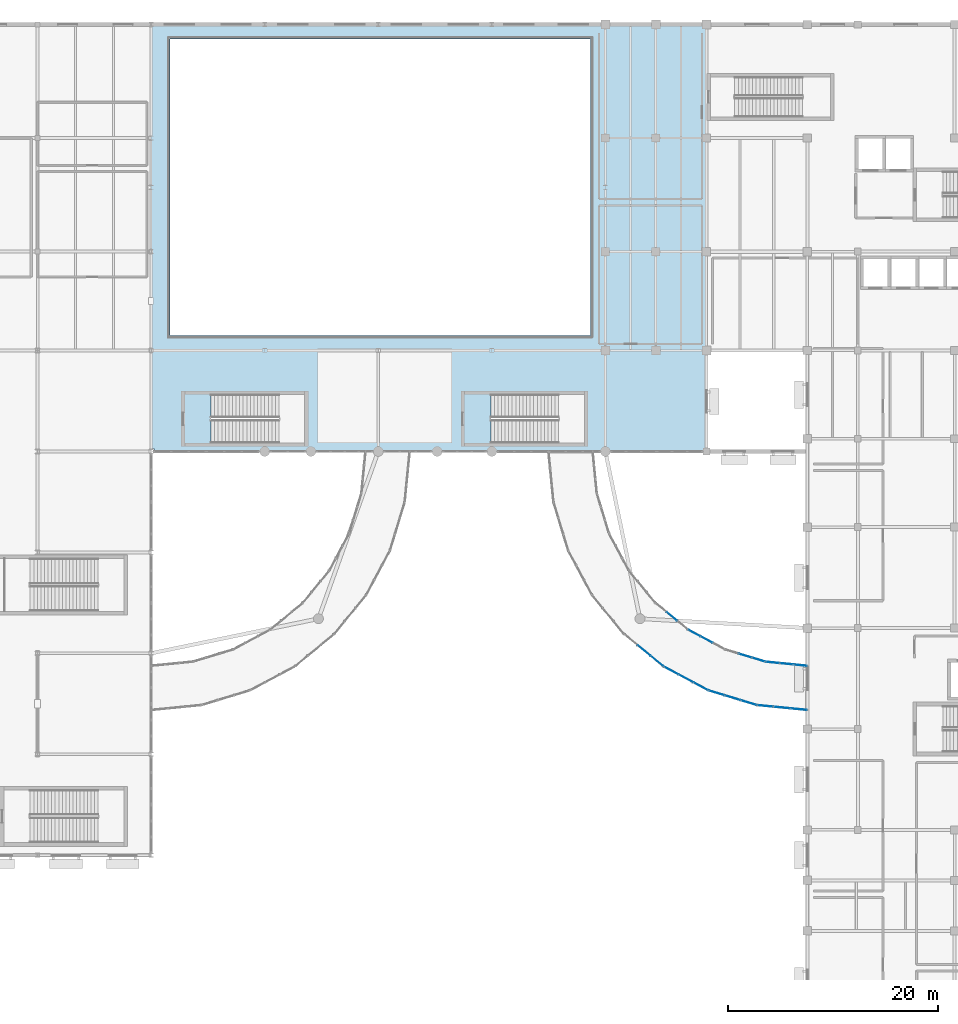
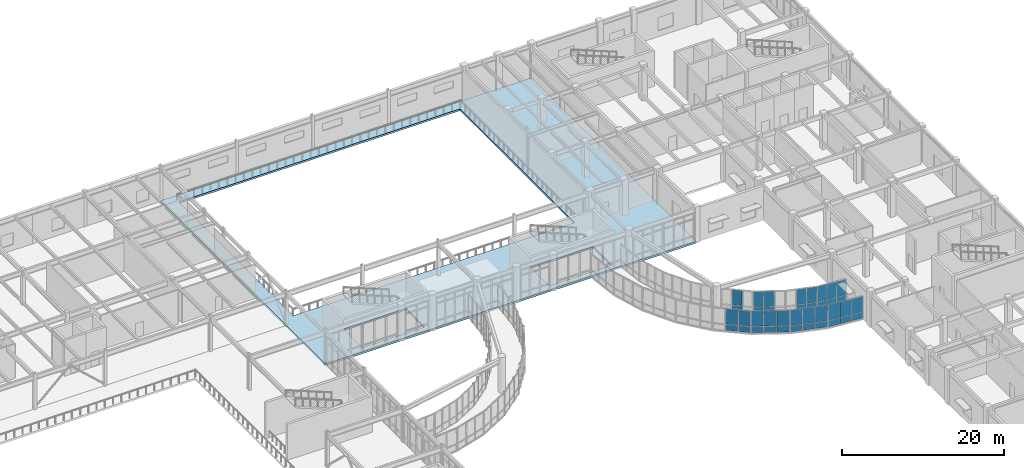
# One storey, part 44 of 72: 38 plates, 1 slab, 8 elements without a shape of their own.
"""IFC4 building model written with IfcOpenShell, lengths in metres."""

from ifc_helpers import new_model, si_unit, direction, frame, origin, origin_2d, place, context, subcontext, project, spatial, polyline, rectangle, outline, extrude, material, layer, layer_set, type_object, element, aggregate, save


model = new_model("IFC4")

# Units and contexts
model_context = context("Model", 3, precision=1e-05, world=origin(), true_north=direction((0.0, 1.0)))
body_context = subcontext(model_context, "Body", "Model", "MODEL_VIEW")
ifc_project = project(units=[si_unit("LENGTHUNIT", "METRE"), si_unit("AREAUNIT", "SQUARE_METRE"), si_unit("VOLUMEUNIT", "CUBIC_METRE"), si_unit("PLANEANGLEUNIT", "RADIAN"), si_unit("MASSUNIT", "GRAM", prefix="KILO")], contexts=[model_context])

# Site, building, storey
site_placement = place(None, origin())
site = spatial("IfcSite", under=ifc_project, at=site_placement, CompositionType="ELEMENT")
building_placement = place(site_placement, origin())
building = spatial("IfcBuilding", under=site, at=building_placement, Name="Veldera Park Congress Hotel", CompositionType="ELEMENT")
storey_placement = place(building_placement, frame((0.0, 0.0, 5.39990234375)))
storey = spatial("IfcBuildingStorey", under=building, at=storey_placement, Name="L01", CompositionType="ELEMENT", Elevation=5.39990234375)

# Curtain wall, plates
ifc_material_1 = material(Name="Low-E Triple Insulating Glass Unit (SHGC 0.22)", Category="glass")
curtain_wall_type = type_object("IfcCurtainWallType", Name="CW-BRG", PredefinedType="NOTDEFINED", material=ifc_material_1)
curtain_wall_1_placement = place(storey_placement, origin())
curtain_wall_1 = element("IfcCurtainWall", 1, at=curtain_wall_1_placement, inside=storey, type_object=curtain_wall_type, Name="L01 Curtain Wall CW3-BRGE-L01-A04", PredefinedType="NOTDEFINED")
ifc_layer_1 = layer(ifc_material_1, 0.028076171875)
ifc_layer_set_1 = layer_set([ifc_layer_1], Name="Low-E Triple Insulating Glass Unit (SHGC 0.22)")
plate_type = type_object("IfcPlateType", Name="CWP-IGU28", PredefinedType="CURTAIN_PANEL", material=ifc_layer_set_1)
plate_1_placement = place(storey_placement, frame((45.26904296875, -1.5244140625, 0.06005859375), z_axis=(0.0, 0.0, 1.0), x_axis=(0.773002968666, -0.634402404183, 0.0)))
plate_1 = element("IfcPlate", 2, at=plate_1_placement, type_object=plate_type, Name="CW-BRG panel 2.1", PredefinedType="CURTAIN_PANEL", context=body_context, shape_type="SweptSolid", body=[
    extrude(rectangle(XDim=1.547607421875, YDim=0.028076171875, at=origin_2d()), origin(), (0.0, 0.0, 1.0), 0.909912109375),
])
plate_2_placement = place(storey_placement, frame((45.26904296875, -1.5244140625, 1.030029296875), z_axis=(0.0, 0.0, 1.0), x_axis=(0.773002968666, -0.634402404183, 0.0)))
plate_2 = element("IfcPlate", 3, at=plate_2_placement, type_object=plate_type, Name="CW-BRG panel 2.2", PredefinedType="CURTAIN_PANEL", context=body_context, shape_type="SweptSolid", body=[
    extrude(rectangle(XDim=1.547607421875, YDim=0.028076171875, at=origin_2d()), origin(), (0.0, 0.0, 1.0), 2.31005859375),
])
plate_3_placement = place(storey_placement, frame((46.5, -2.53466796875, 0.06005859375), z_axis=(0.0, 0.0, 1.0), x_axis=(0.773002968666, -0.634402404183, 0.0)))
plate_3 = element("IfcPlate", 4, at=plate_3_placement, type_object=plate_type, Name="CW-BRG panel 3.1", PredefinedType="CURTAIN_PANEL", context=body_context, shape_type="SweptSolid", body=[
    extrude(rectangle(XDim=1.517578125, YDim=0.028076171875, at=origin_2d()), origin(), (0.0, 0.0, 1.0), 0.909912109375),
])
plate_4_placement = place(storey_placement, frame((46.5, -2.53466796875, 1.030029296875), z_axis=(0.0, 0.0, 1.0), x_axis=(0.773002968666, -0.634402404183, 0.0)))
plate_4 = element("IfcPlate", 5, at=plate_4_placement, type_object=plate_type, Name="CW-BRG panel 3.2", PredefinedType="CURTAIN_PANEL", context=body_context, shape_type="SweptSolid", body=[
    extrude(rectangle(XDim=1.517578125, YDim=0.028076171875, at=origin_2d()), origin(), (0.0, 0.0, 1.0), 2.31005859375),
])
aggregate(curtain_wall_1, [plate_1, plate_2, plate_3, plate_4])

curtain_wall_2_placement = place(storey_placement, origin())
curtain_wall_2 = element("IfcCurtainWall", 6, at=curtain_wall_2_placement, inside=storey, type_object=curtain_wall_type, Name="L01 Curtain Wall CW3-BRGE-L01-A05", PredefinedType="NOTDEFINED")
plate_5_placement = place(storey_placement, frame((47.85498046875, -3.440185546875, 0.06005859375), z_axis=(0.0, 0.0, 1.0), x_axis=(0.881927804203, -0.471384501415, 0.0)))
plate_5 = element("IfcPlate", 7, at=plate_5_placement, type_object=plate_type, Name="CW-BRG panel 1.1", PredefinedType="CURTAIN_PANEL", context=body_context, shape_type="SweptSolid", body=[
    extrude(rectangle(XDim=1.517578125, YDim=0.028076171875, at=origin_2d()), origin(), (0.0, 0.0, 1.0), 0.909912109375),
])
plate_6_placement = place(storey_placement, frame((47.85498046875, -3.440185546875, 1.030029296875), z_axis=(0.0, 0.0, 1.0), x_axis=(0.881927804203, -0.471384501415, 0.0)))
plate_6 = element("IfcPlate", 8, at=plate_6_placement, type_object=plate_type, Name="CW-BRG panel 1.2", PredefinedType="CURTAIN_PANEL", context=body_context, shape_type="SweptSolid", body=[
    extrude(rectangle(XDim=1.517578125, YDim=0.028076171875, at=origin_2d()), origin(), (0.0, 0.0, 1.0), 2.31005859375),
])
plate_7_placement = place(storey_placement, frame((49.259521484375, -4.19091796875, 0.06005859375), z_axis=(0.0, 0.0, 1.0), x_axis=(0.881927804203, -0.471384501415, 0.0)))
plate_7 = element("IfcPlate", 9, at=plate_7_placement, type_object=plate_type, Name="CW-BRG panel 2.1", PredefinedType="CURTAIN_PANEL", context=body_context, shape_type="SweptSolid", body=[
    extrude(rectangle(XDim=1.54736328125, YDim=0.028076171875, at=origin_2d()), origin(), (0.0, 0.0, 1.0), 0.909912109375),
])
plate_8_placement = place(storey_placement, frame((49.259521484375, -4.19091796875, 1.030029296875), z_axis=(0.0, 0.0, 1.0), x_axis=(0.881927804203, -0.471384501415, 0.0)))
plate_8 = element("IfcPlate", 10, at=plate_8_placement, type_object=plate_type, Name="CW-BRG panel 2.2", PredefinedType="CURTAIN_PANEL", context=body_context, shape_type="SweptSolid", body=[
    extrude(rectangle(XDim=1.54736328125, YDim=0.028076171875, at=origin_2d()), origin(), (0.0, 0.0, 1.0), 2.31005859375),
])
plate_9_placement = place(storey_placement, frame((50.663818359375, -4.94140625, 0.06005859375), z_axis=(0.0, 0.0, 1.0), x_axis=(0.881927804203, -0.471384501415, 0.0)))
plate_9 = element("IfcPlate", 11, at=plate_9_placement, type_object=plate_type, Name="CW-BRG panel 3.1", PredefinedType="CURTAIN_PANEL", context=body_context, shape_type="SweptSolid", body=[
    extrude(rectangle(XDim=1.517578125, YDim=0.028076171875, at=origin_2d()), origin(), (0.0, 0.0, 1.0), 0.909912109375),
])
plate_10_placement = place(storey_placement, frame((50.663818359375, -4.94140625, 1.030029296875), z_axis=(0.0, 0.0, 1.0), x_axis=(0.881927804203, -0.471384501415, 0.0)))
plate_10 = element("IfcPlate", 12, at=plate_10_placement, type_object=plate_type, Name="CW-BRG panel 3.2", PredefinedType="CURTAIN_PANEL", context=body_context, shape_type="SweptSolid", body=[
    extrude(rectangle(XDim=1.517578125, YDim=0.028076171875, at=origin_2d()), origin(), (0.0, 0.0, 1.0), 2.31005859375),
])
aggregate(curtain_wall_2, [plate_5, plate_6, plate_7, plate_8, plate_9, plate_10])

curtain_wall_3_placement = place(storey_placement, origin())
curtain_wall_3 = element("IfcCurtainWall", 13, at=curtain_wall_3_placement, inside=storey, type_object=curtain_wall_type, Name="L01 Curtain Wall CW3-BRGE-L01-A06", PredefinedType="NOTDEFINED")
plate_11_placement = place(storey_placement, frame((52.16943359375, -5.565185546875, 0.06005859375), z_axis=(0.0, 0.0, 1.0), x_axis=(0.956939429957, -0.290287663177, 0.0)))
plate_11 = element("IfcPlate", 14, at=plate_11_placement, type_object=plate_type, Name="CW-BRG panel 1.1", PredefinedType="CURTAIN_PANEL", context=body_context, shape_type="SweptSolid", body=[
    extrude(rectangle(XDim=1.517578125, YDim=0.028076171875, at=origin_2d()), origin(), (0.0, 0.0, 1.0), 0.909912109375),
])
plate_12_placement = place(storey_placement, frame((52.16943359375, -5.565185546875, 1.030029296875), z_axis=(0.0, 0.0, 1.0), x_axis=(0.956939429957, -0.290287663177, 0.0)))
plate_12 = element("IfcPlate", 15, at=plate_12_placement, type_object=plate_type, Name="CW-BRG panel 1.2", PredefinedType="CURTAIN_PANEL", context=body_context, shape_type="SweptSolid", body=[
    extrude(rectangle(XDim=1.517578125, YDim=0.028076171875, at=origin_2d()), origin(), (0.0, 0.0, 1.0), 2.31005859375),
])
plate_13_placement = place(storey_placement, frame((53.693359375, -6.02734375, 0.06005859375), z_axis=(0.0, 0.0, 1.0), x_axis=(0.956939429957, -0.290287663177, 0.0)))
plate_13 = element("IfcPlate", 16, at=plate_13_placement, type_object=plate_type, Name="CW-BRG panel 2.1", PredefinedType="CURTAIN_PANEL", context=body_context, shape_type="SweptSolid", body=[
    extrude(rectangle(XDim=1.547607421875, YDim=0.028076171875, at=origin_2d()), origin(), (0.0, 0.0, 1.0), 0.909912109375),
])
plate_14_placement = place(storey_placement, frame((53.693359375, -6.02734375, 1.030029296875), z_axis=(0.0, 0.0, 1.0), x_axis=(0.956939429957, -0.290287663177, 0.0)))
plate_14 = element("IfcPlate", 17, at=plate_14_placement, type_object=plate_type, Name="CW-BRG panel 2.2", PredefinedType="CURTAIN_PANEL", context=body_context, shape_type="SweptSolid", body=[
    extrude(rectangle(XDim=1.547607421875, YDim=0.028076171875, at=origin_2d()), origin(), (0.0, 0.0, 1.0), 2.31005859375),
])
plate_15_placement = place(storey_placement, frame((55.21728515625, -6.48974609375, 0.06005859375), z_axis=(0.0, 0.0, 1.0), x_axis=(0.956939429957, -0.290287663177, 0.0)))
plate_15 = element("IfcPlate", 18, at=plate_15_placement, type_object=plate_type, Name="CW-BRG panel 3.1", PredefinedType="CURTAIN_PANEL", context=body_context, shape_type="SweptSolid", body=[
    extrude(rectangle(XDim=1.517578125, YDim=0.028076171875, at=origin_2d()), origin(), (0.0, 0.0, 1.0), 0.909912109375),
])
plate_16_placement = place(storey_placement, frame((55.21728515625, -6.48974609375, 1.030029296875), z_axis=(0.0, 0.0, 1.0), x_axis=(0.956939429957, -0.290287663177, 0.0)))
plate_16 = element("IfcPlate", 19, at=plate_16_placement, type_object=plate_type, Name="CW-BRG panel 3.2", PredefinedType="CURTAIN_PANEL", context=body_context, shape_type="SweptSolid", body=[
    extrude(rectangle(XDim=1.517578125, YDim=0.028076171875, at=origin_2d()), origin(), (0.0, 0.0, 1.0), 2.31005859375),
])
aggregate(curtain_wall_3, [plate_11, plate_12, plate_13, plate_14, plate_15, plate_16])

curtain_wall_4_placement = place(storey_placement, origin())
curtain_wall_4 = element("IfcCurtainWall", 20, at=curtain_wall_4_placement, inside=storey, type_object=curtain_wall_type, Name="L01 Curtain Wall CW3-BRGE-L01-A07", PredefinedType="NOTDEFINED")
plate_17_placement = place(storey_placement, frame((56.815673828125, -6.8076171875, 0.06005859375), z_axis=(0.0, 0.0, 1.0), x_axis=(0.995184320963, -0.098021259481, 0.0)))
plate_17 = element("IfcPlate", 21, at=plate_17_placement, type_object=plate_type, Name="CW-BRG panel 1.1", PredefinedType="CURTAIN_PANEL", context=body_context, shape_type="SweptSolid", body=[
    extrude(rectangle(XDim=1.517578125, YDim=0.028076171875, at=origin_2d()), origin(), (0.0, 0.0, 1.0), 0.909912109375),
])
plate_18_placement = place(storey_placement, frame((56.815673828125, -6.8076171875, 1.030029296875), z_axis=(0.0, 0.0, 1.0), x_axis=(0.995184320963, -0.098021259481, 0.0)))
plate_18 = element("IfcPlate", 22, at=plate_18_placement, type_object=plate_type, Name="CW-BRG panel 1.2", PredefinedType="CURTAIN_PANEL", context=body_context, shape_type="SweptSolid", body=[
    extrude(rectangle(XDim=1.517578125, YDim=0.028076171875, at=origin_2d()), origin(), (0.0, 0.0, 1.0), 2.31005859375),
])
plate_19_placement = place(storey_placement, frame((58.400390625, -6.963623046875, 0.06005859375), z_axis=(0.0, 0.0, 1.0), x_axis=(0.995184320963, -0.098021259481, 0.0)))
plate_19 = element("IfcPlate", 23, at=plate_19_placement, type_object=plate_type, Name="CW-BRG panel 2.1", PredefinedType="CURTAIN_PANEL", context=body_context, shape_type="SweptSolid", body=[
    extrude(rectangle(XDim=1.54736328125, YDim=0.028076171875, at=origin_2d()), origin(), (0.0, 0.0, 1.0), 0.909912109375),
])
plate_20_placement = place(storey_placement, frame((58.400390625, -6.963623046875, 1.030029296875), z_axis=(0.0, 0.0, 1.0), x_axis=(0.995184320963, -0.098021259481, 0.0)))
plate_20 = element("IfcPlate", 24, at=plate_20_placement, type_object=plate_type, Name="CW-BRG panel 2.2", PredefinedType="CURTAIN_PANEL", context=body_context, shape_type="SweptSolid", body=[
    extrude(rectangle(XDim=1.54736328125, YDim=0.028076171875, at=origin_2d()), origin(), (0.0, 0.0, 1.0), 2.31005859375),
])
plate_21_placement = place(storey_placement, frame((59.985107421875, -7.11962890625, 0.06005859375), z_axis=(0.0, 0.0, 1.0), x_axis=(0.995184320963, -0.098021259481, 0.0)))
plate_21 = element("IfcPlate", 25, at=plate_21_placement, type_object=plate_type, Name="CW-BRG panel 3.1", PredefinedType="CURTAIN_PANEL", context=body_context, shape_type="SweptSolid", body=[
    extrude(rectangle(XDim=1.517578125, YDim=0.028076171875, at=origin_2d()), origin(), (0.0, 0.0, 1.0), 0.909912109375),
])
plate_22_placement = place(storey_placement, frame((59.985107421875, -7.11962890625, 1.030029296875), z_axis=(0.0, 0.0, 1.0), x_axis=(0.995184320963, -0.098021259481, 0.0)))
plate_22 = element("IfcPlate", 26, at=plate_22_placement, type_object=plate_type, Name="CW-BRG panel 3.2", PredefinedType="CURTAIN_PANEL", context=body_context, shape_type="SweptSolid", body=[
    extrude(rectangle(XDim=1.517578125, YDim=0.028076171875, at=origin_2d()), origin(), (0.0, 0.0, 1.0), 2.31005859375),
])
aggregate(curtain_wall_4, [plate_17, plate_18, plate_19, plate_20, plate_21, plate_22])

curtain_wall_5_placement = place(storey_placement, origin())
curtain_wall_5 = element("IfcCurtainWall", 27, at=curtain_wall_5_placement, inside=storey, type_object=curtain_wall_type, Name="L01 Curtain Wall CW3-BRGE-L01-B09", PredefinedType="NOTDEFINED")
plate_23_placement = place(storey_placement, frame((60.121826171875, -2.93310546875, 0.06005859375), z_axis=(0.0, 0.0, 1.0), x_axis=(-0.99518414337, 0.098023062513, 0.0)))
plate_23 = element("IfcPlate", 28, at=plate_23_placement, type_object=plate_type, Name="CW-BRG panel 1.1", PredefinedType="CURTAIN_PANEL", context=body_context, shape_type="SweptSolid", body=[
    extrude(rectangle(XDim=1.242919921875, YDim=0.028076171875, at=origin_2d()), origin(), (0.0, 0.0, 1.0), 0.909912109375),
])
plate_24_placement = place(storey_placement, frame((60.121826171875, -2.93310546875, 1.030029296875), z_axis=(0.0, 0.0, 1.0), x_axis=(-0.99518414337, 0.098023062513, 0.0)))
plate_24 = element("IfcPlate", 29, at=plate_24_placement, type_object=plate_type, Name="CW-BRG panel 1.2", PredefinedType="CURTAIN_PANEL", context=body_context, shape_type="SweptSolid", body=[
    extrude(rectangle(XDim=1.242919921875, YDim=0.028076171875, at=origin_2d()), origin(), (0.0, 0.0, 1.0), 2.31005859375),
])
plate_25_placement = place(storey_placement, frame((58.81005859375, -2.803955078125, 0.06005859375), z_axis=(0.0, 0.0, 1.0), x_axis=(-0.99518414337, 0.098023062513, 0.0)))
plate_25 = element("IfcPlate", 30, at=plate_25_placement, type_object=plate_type, Name="CW-BRG panel 2.1", PredefinedType="CURTAIN_PANEL", context=body_context, shape_type="SweptSolid", body=[
    extrude(rectangle(XDim=1.27294921875, YDim=0.028076171875, at=origin_2d()), origin(), (0.0, 0.0, 1.0), 0.909912109375),
])
plate_26_placement = place(storey_placement, frame((58.81005859375, -2.803955078125, 1.030029296875), z_axis=(0.0, 0.0, 1.0), x_axis=(-0.99518414337, 0.098023062513, 0.0)))
plate_26 = element("IfcPlate", 31, at=plate_26_placement, type_object=plate_type, Name="CW-BRG panel 2.2", PredefinedType="CURTAIN_PANEL", context=body_context, shape_type="SweptSolid", body=[
    extrude(rectangle(XDim=1.27294921875, YDim=0.028076171875, at=origin_2d()), origin(), (0.0, 0.0, 1.0), 2.31005859375),
])
plate_27_placement = place(storey_placement, frame((57.49853515625, -2.6748046875, 0.06005859375), z_axis=(0.0, 0.0, 1.0), x_axis=(-0.99518414337, 0.098023062513, 0.0)))
plate_27 = element("IfcPlate", 32, at=plate_27_placement, type_object=plate_type, Name="CW-BRG panel 3.1", PredefinedType="CURTAIN_PANEL", context=body_context, shape_type="SweptSolid", body=[
    extrude(rectangle(XDim=1.242919921875, YDim=0.028076171875, at=origin_2d()), origin(), (0.0, 0.0, 1.0), 0.909912109375),
])
plate_28_placement = place(storey_placement, frame((57.49853515625, -2.6748046875, 1.030029296875), z_axis=(0.0, 0.0, 1.0), x_axis=(-0.99518414337, 0.098023062513, 0.0)))
plate_28 = element("IfcPlate", 33, at=plate_28_placement, type_object=plate_type, Name="CW-BRG panel 3.2", PredefinedType="CURTAIN_PANEL", context=body_context, shape_type="SweptSolid", body=[
    extrude(rectangle(XDim=1.242919921875, YDim=0.028076171875, at=origin_2d()), origin(), (0.0, 0.0, 1.0), 2.31005859375),
])
aggregate(curtain_wall_5, [plate_23, plate_24, plate_25, plate_26, plate_27, plate_28])

curtain_wall_6_placement = place(storey_placement, origin())
curtain_wall_6 = element("IfcCurtainWall", 34, at=curtain_wall_6_placement, inside=storey, type_object=curtain_wall_type, Name="L01 Curtain Wall CW3-BRGE-L01-B10", PredefinedType="NOTDEFINED")
plate_29_placement = place(storey_placement, frame((56.16796875, -2.41015625, 0.06005859375), z_axis=(0.0, 0.0, 1.0), x_axis=(-0.956938767513, 0.290289846929, 0.0)))
plate_29 = element("IfcPlate", 35, at=plate_29_placement, type_object=plate_type, Name="CW-BRG panel 1.1", PredefinedType="CURTAIN_PANEL", context=body_context, shape_type="SweptSolid", body=[
    extrude(rectangle(XDim=1.242919921875, YDim=0.028076171875, at=origin_2d()), origin(), (0.0, 0.0, 1.0), 0.909912109375),
])
plate_30_placement = place(storey_placement, frame((56.16796875, -2.41015625, 1.030029296875), z_axis=(0.0, 0.0, 1.0), x_axis=(-0.956938767513, 0.290289846929, 0.0)))
plate_30 = element("IfcPlate", 36, at=plate_30_placement, type_object=plate_type, Name="CW-BRG panel 1.2", PredefinedType="CURTAIN_PANEL", context=body_context, shape_type="SweptSolid", body=[
    extrude(rectangle(XDim=1.242919921875, YDim=0.028076171875, at=origin_2d()), origin(), (0.0, 0.0, 1.0), 2.31005859375),
])
plate_31_placement = place(storey_placement, frame((54.90673828125, -2.027587890625, 0.06005859375), z_axis=(0.0, 0.0, 1.0), x_axis=(-0.956938767513, 0.290289846929, 0.0)))
plate_31 = element("IfcPlate", 37, at=plate_31_placement, type_object=plate_type, Name="CW-BRG panel 2.1", PredefinedType="CURTAIN_PANEL", context=body_context, shape_type="SweptSolid", body=[
    extrude(rectangle(XDim=1.27294921875, YDim=0.028076171875, at=origin_2d()), origin(), (0.0, 0.0, 1.0), 0.909912109375),
])
plate_32_placement = place(storey_placement, frame((54.90673828125, -2.027587890625, 1.030029296875), z_axis=(0.0, 0.0, 1.0), x_axis=(-0.956938767513, 0.290289846929, 0.0)))
plate_32 = element("IfcPlate", 38, at=plate_32_placement, type_object=plate_type, Name="CW-BRG panel 2.2", PredefinedType="CURTAIN_PANEL", context=body_context, shape_type="SweptSolid", body=[
    extrude(rectangle(XDim=1.27294921875, YDim=0.028076171875, at=origin_2d()), origin(), (0.0, 0.0, 1.0), 2.31005859375),
])
aggregate(curtain_wall_6, [plate_29, plate_30, plate_31, plate_32])

curtain_wall_7_placement = place(storey_placement, origin())
curtain_wall_7 = element("IfcCurtainWall", 39, at=curtain_wall_7_placement, inside=storey, type_object=curtain_wall_type, Name="L01 Curtain Wall CW3-BRGE-L01-B11", PredefinedType="NOTDEFINED")
plate_33_placement = place(storey_placement, frame((51.229736328125, -0.504638671875, 0.06005859375), z_axis=(0.0, 0.0, 1.0), x_axis=(-0.881928263239, 0.471383642588, 0.0)))
plate_33 = element("IfcPlate", 40, at=plate_33_placement, type_object=plate_type, Name="CW-BRG panel 2.1", PredefinedType="CURTAIN_PANEL", context=body_context, shape_type="SweptSolid", body=[
    extrude(rectangle(XDim=1.27294921875, YDim=0.028076171875, at=origin_2d()), origin(), (0.0, 0.0, 1.0), 0.909912109375),
])
plate_34_placement = place(storey_placement, frame((51.229736328125, -0.504638671875, 1.030029296875), z_axis=(0.0, 0.0, 1.0), x_axis=(-0.881928263239, 0.471383642588, 0.0)))
plate_34 = element("IfcPlate", 41, at=plate_34_placement, type_object=plate_type, Name="CW-BRG panel 2.2", PredefinedType="CURTAIN_PANEL", context=body_context, shape_type="SweptSolid", body=[
    extrude(rectangle(XDim=1.27294921875, YDim=0.028076171875, at=origin_2d()), origin(), (0.0, 0.0, 1.0), 2.31005859375),
])
plate_35_placement = place(storey_placement, frame((50.0673828125, 0.11669921875, 0.06005859375), z_axis=(0.0, 0.0, 1.0), x_axis=(-0.881928263239, 0.471383642588, 0.0)))
plate_35 = element("IfcPlate", 42, at=plate_35_placement, type_object=plate_type, Name="CW-BRG panel 3.1", PredefinedType="CURTAIN_PANEL", context=body_context, shape_type="SweptSolid", body=[
    extrude(rectangle(XDim=1.242919921875, YDim=0.028076171875, at=origin_2d()), origin(), (0.0, 0.0, 1.0), 0.909912109375),
])
plate_36_placement = place(storey_placement, frame((50.0673828125, 0.11669921875, 1.030029296875), z_axis=(0.0, 0.0, 1.0), x_axis=(-0.881928263239, 0.471383642588, 0.0)))
plate_36 = element("IfcPlate", 43, at=plate_36_placement, type_object=plate_type, Name="CW-BRG panel 3.2", PredefinedType="CURTAIN_PANEL", context=body_context, shape_type="SweptSolid", body=[
    extrude(rectangle(XDim=1.242919921875, YDim=0.028076171875, at=origin_2d()), origin(), (0.0, 0.0, 1.0), 2.31005859375),
])
aggregate(curtain_wall_7, [plate_33, plate_34, plate_35, plate_36])

curtain_wall_8_placement = place(storey_placement, origin())
curtain_wall_8 = element("IfcCurtainWall", 44, at=curtain_wall_8_placement, inside=storey, type_object=curtain_wall_type, Name="L01 Curtain Wall CW3-BRGE-L01-B12", PredefinedType="NOTDEFINED")
plate_37_placement = place(storey_placement, frame((47.920654296875, 1.70654296875, 0.06005859375), z_axis=(0.0, 0.0, 1.0), x_axis=(-0.773016144823, 0.634386349036, 0.0)))
plate_37 = element("IfcPlate", 45, at=plate_37_placement, type_object=plate_type, Name="CW-BRG panel 2.1", PredefinedType="CURTAIN_PANEL", context=body_context, shape_type="SweptSolid", body=[
    extrude(rectangle(XDim=1.27294921875, YDim=0.028076171875, at=origin_2d()), origin(), (0.0, 0.0, 1.0), 0.909912109375),
])
plate_38_placement = place(storey_placement, frame((47.920654296875, 1.70654296875, 1.030029296875), z_axis=(0.0, 0.0, 1.0), x_axis=(-0.773016144823, 0.634386349036, 0.0)))
plate_38 = element("IfcPlate", 46, at=plate_38_placement, type_object=plate_type, Name="CW-BRG panel 2.2", PredefinedType="CURTAIN_PANEL", context=body_context, shape_type="SweptSolid", body=[
    extrude(rectangle(XDim=1.27294921875, YDim=0.028076171875, at=origin_2d()), origin(), (0.0, 0.0, 1.0), 2.31005859375),
])
aggregate(curtain_wall_8, [plate_37, plate_38])

# Slab
ifc_material_2 = material(Name="Concrete f'c 40 MPa (5,800 psi)", Category="concrete")
ifc_layer_2 = layer(ifc_material_2, 0.280029296875)
ifc_layer_set_2 = layer_set([ifc_layer_2], Name="Concrete f'c 40 MPa (5,800 psi)")
slab_type = type_object("IfcSlabType", Name="SLB-RC280", PredefinedType="FLOOR", material=ifc_layer_set_2)
slab_placement = place(storey_placement, frame((0.0, 0.0, -0.27978515625)))
element("IfcSlab", 47, at=slab_placement, inside=storey, type_object=slab_type, Name="L01 Floor Slab SLB-L01-V2", PredefinedType="FLOOR", context=body_context, shape_type="SweptSolid", body=[
    extrude(outline(polyline([(-1.60009765625, 17.659912109375), (-1.340087890625, 17.659912109375), (-1.340087890625, 17.39990234375), (51.199951171875, 17.39990234375), (51.199951171875, 58.0), (-1.60009765625, 58.0), (-1.60009765625, 17.659912109375)]), holes=[polyline([(4.114990234375, 18.199951171875), (13.0, 18.199951171875), (13.0, 22.800048828125), (4.114990234375, 22.800048828125), (4.114990234375, 18.199951171875)]), polyline([(30.715087890625, 18.199951171875), (39.60009765625, 18.199951171875), (39.60009765625, 22.800048828125), (30.715087890625, 22.800048828125), (30.715087890625, 18.199951171875)]), polyline([(0.199951171875, 28.39990234375), (40.199951171875, 28.39990234375), (40.199951171875, 56.60009765625), (0.199951171875, 56.60009765625), (0.199951171875, 28.39990234375)])]), origin(), (0.0, 0.0, 1.0), 0.27978515625),
])

save(model, "model.ifc")
